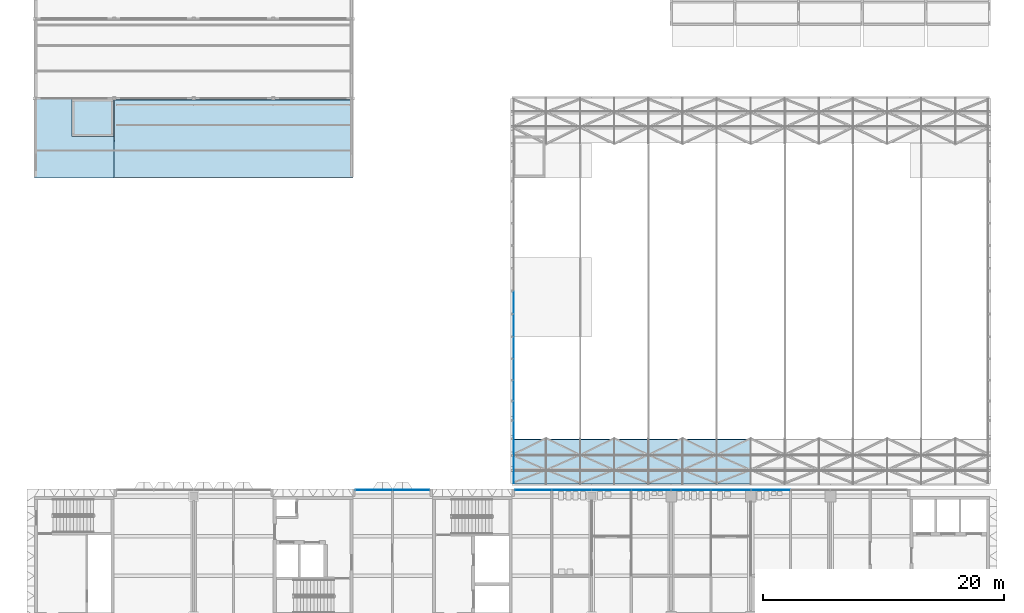
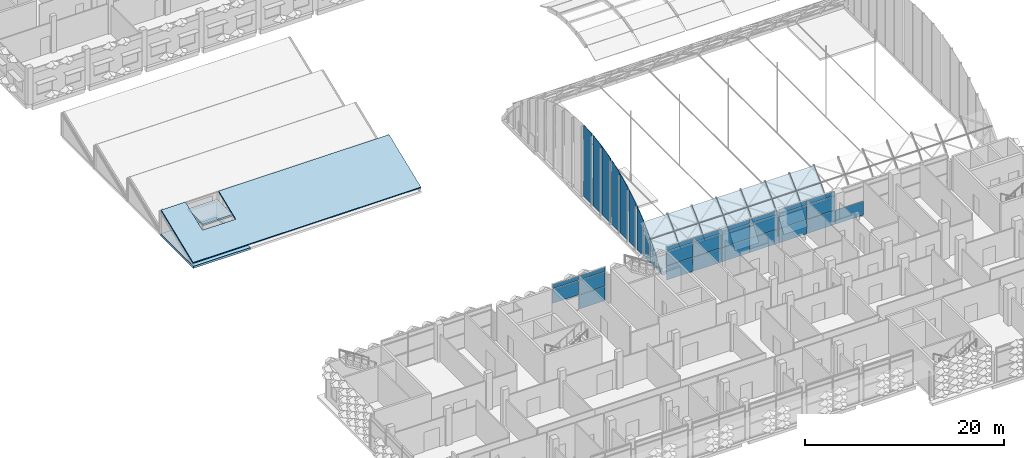
# One storey, part 43 of 109: 55 plates, 3 slabs, 3 elements without a shape of their own.
"""IFC4 building model written with IfcOpenShell, lengths in metres."""

from ifc_helpers import new_model, si_unit, direction, frame, origin, origin_2d, place, context, subcontext, project, spatial, polyline, rectangle, outline, extrude, material, layer, layer_set, type_object, element, aggregate, save


model = new_model("IFC4")

# Units and contexts
model_context = context("Model", 3, precision=1e-05, world=origin(), true_north=direction((0.0, 1.0)))
body_context = subcontext(model_context, "Body", "Model", "MODEL_VIEW")
ifc_project = project(units=[si_unit("LENGTHUNIT", "METRE"), si_unit("AREAUNIT", "SQUARE_METRE"), si_unit("VOLUMEUNIT", "CUBIC_METRE"), si_unit("PLANEANGLEUNIT", "RADIAN"), si_unit("MASSUNIT", "GRAM", prefix="KILO")], contexts=[model_context])

# Site, building, storey
site_placement = place(None, origin())
site = spatial("IfcSite", under=ifc_project, at=site_placement, CompositionType="ELEMENT")
building_placement = place(site_placement, origin())
building = spatial("IfcBuilding", under=site, at=building_placement, Name="Lantern Court Research Institute", CompositionType="ELEMENT")
storey_placement = place(building_placement, frame((0.0, 0.0, 14.39990234375)))
storey = spatial("IfcBuildingStorey", under=building, at=storey_placement, Name="L03", CompositionType="ELEMENT", Elevation=14.39990234375)

# Plates
ifc_material_1 = material(Name="Laminated low-emissivity glass", Category="glass")
ifc_layer_1 = layer(ifc_material_1, 0.035888671875)
ifc_layer_set_1 = layer_set([ifc_layer_1], Name="Laminated low-emissivity glass")
plate_type_1 = type_object("IfcPlateType", Name="Gable glazing panel 36", PredefinedType="SHEET", material=ifc_layer_set_1)
plate_1_placement = place(storey_placement, frame((39.742919921875, 24.169921875, 0.400146484375), z_axis=(0.0, 0.0, 1.0), x_axis=(0.0, 1.0, 0.0)))
element("IfcPlate", 1, at=plate_1_placement, inside=storey, type_object=plate_type_1, Name="Gable glazing panel", PredefinedType="SHEET", context=body_context, shape_type="SweptSolid", body=[
    extrude(outline(polyline([(0.0, 0.0), (1.016357421875, 0.0), (1.016357421875, 1.4697265625), (0.0, 0.0283203125), (0.0, 0.0)])), frame((0.0, 0.01806640625, 0.0), z_axis=(0.0, -1.0, 0.0), x_axis=(1.0, 0.0, 0.0)), (0.0, 0.0, 1.0), 0.035888671875),
])
plate_2_placement = place(storey_placement, frame((39.742919921875, 25.306396484375, 0.400146484375), z_axis=(0.0, 0.0, 1.0), x_axis=(0.0, 1.0, 0.0)))
element("IfcPlate", 2, at=plate_2_placement, inside=storey, type_object=plate_type_1, Name="Gable glazing panel", PredefinedType="SHEET", context=body_context, shape_type="SweptSolid", body=[
    extrude(outline(polyline([(0.0, 0.0), (1.126953125, 0.0), (1.126953125, 2.92236328125), (0.0, 1.623779296875), (0.0, 0.0)])), frame((0.0, 0.01806640625, 0.0), z_axis=(0.0, -1.0, 0.0), x_axis=(1.0, 0.0, 0.0)), (0.0, 0.0, 1.0), 0.035888671875),
])
plate_3_placement = place(storey_placement, frame((39.742919921875, 26.55322265625, 0.400146484375), z_axis=(0.0, 0.0, 1.0), x_axis=(0.0, 1.0, 0.0)))
element("IfcPlate", 3, at=plate_3_placement, inside=storey, type_object=plate_type_1, Name="Gable glazing panel", PredefinedType="SHEET", context=body_context, shape_type="SweptSolid", body=[
    extrude(outline(polyline([(0.0, 0.0), (1.265380859375, 0.0), (1.26513671875, 4.239013671875), (0.0, 3.0478515625), (0.0, 0.0)])), frame((0.0, 0.01806640625, 0.0), z_axis=(0.0, -1.0, 0.0), x_axis=(1.0, 0.0, 0.0)), (0.0, 0.0, 1.0), 0.035888671875),
])
plate_4_placement = place(storey_placement, frame((39.742919921875, 27.9384765625, 0.400146484375), z_axis=(0.0, 0.0, 1.0), x_axis=(0.0, 1.0, 0.0)))
element("IfcPlate", 4, at=plate_4_placement, inside=storey, type_object=plate_type_1, Name="Gable glazing panel", PredefinedType="SHEET", context=body_context, shape_type="SweptSolid", body=[
    extrude(outline(polyline([(0.0, 0.0), (1.38916015625, 0.0), (1.38916015625, 5.40771484375), (0.0, 4.341552734375), (0.0, 0.0)])), frame((0.0, 0.01806640625, 0.0), z_axis=(0.0, -1.0, 0.0), x_axis=(1.0, 0.0, 0.0)), (0.0, 0.0, 1.0), 0.035888671875),
])
plate_5_placement = place(storey_placement, frame((39.742919921875, 29.44775390625, 0.400146484375), z_axis=(0.0, 0.0, 1.0), x_axis=(0.0, 1.0, 0.0)))
element("IfcPlate", 5, at=plate_5_placement, inside=storey, type_object=plate_type_1, Name="Gable glazing panel", PredefinedType="SHEET", context=body_context, shape_type="SweptSolid", body=[
    extrude(outline(polyline([(0.0, 0.0), (1.498046875, 0.0), (1.498046875, 6.417236328125), (0.0, 5.490966796875), (0.0, 0.0)])), frame((0.0, 0.01806640625, 0.0), z_axis=(0.0, -1.0, 0.0), x_axis=(1.0, 0.0, 0.0)), (0.0, 0.0, 1.0), 0.035888671875),
])
plate_6_placement = place(storey_placement, frame((39.742919921875, 31.065673828125, 0.400146484375), z_axis=(0.0, 0.0, 1.0), x_axis=(0.0, 1.0, 0.0)))
element("IfcPlate", 6, at=plate_6_placement, inside=storey, type_object=plate_type_1, Name="Gable glazing panel", PredefinedType="SHEET", context=body_context, shape_type="SweptSolid", body=[
    extrude(outline(polyline([(0.0, 0.0), (1.590576171875, 0.0), (1.59033203125, 7.258056640625), (0.0, 6.483642578125), (0.0, 0.0)])), frame((0.0, 0.01806640625, 0.0), z_axis=(0.0, -1.0, 0.0), x_axis=(1.0, 0.0, 0.0)), (0.0, 0.0, 1.0), 0.035888671875),
])
plate_7_placement = place(storey_placement, frame((39.742919921875, 32.776123046875, 0.400146484375), z_axis=(0.0, 0.0, 1.0), x_axis=(0.0, 1.0, 0.0)))
element("IfcPlate", 7, at=plate_7_placement, inside=storey, type_object=plate_type_1, Name="Gable glazing panel", PredefinedType="SHEET", context=body_context, shape_type="SweptSolid", body=[
    extrude(outline(polyline([(0.0, 0.0), (1.66552734375, 0.0), (1.66552734375, 7.921875), (0.0, 7.309326171875), (0.0, 0.0)])), frame((0.0, 0.01806640625, 0.0), z_axis=(0.0, -1.0, 0.0), x_axis=(1.0, 0.0, 0.0)), (0.0, 0.0, 1.0), 0.035888671875),
])
plate_8_placement = place(storey_placement, frame((39.742919921875, 34.561767578125, 0.400146484375), z_axis=(0.0, 0.0, 1.0), x_axis=(0.0, 1.0, 0.0)))
element("IfcPlate", 8, at=plate_8_placement, inside=storey, type_object=plate_type_1, Name="Gable glazing panel", PredefinedType="SHEET", context=body_context, shape_type="SweptSolid", body=[
    extrude(outline(polyline([(0.0, 0.0), (1.722412109375, 0.0), (1.722412109375, 8.402587890625), (0.0, 7.95947265625), (0.0, 0.0)])), frame((0.0, 0.01806640625, 0.0), z_axis=(0.0, -1.0, 0.0), x_axis=(1.0, 0.0, 0.0)), (0.0, 0.0, 1.0), 0.035888671875),
])
plate_9_placement = place(storey_placement, frame((39.742919921875, 36.404296875, 0.400146484375), z_axis=(0.0, 0.0, 1.0), x_axis=(0.0, 1.0, 0.0)))
element("IfcPlate", 9, at=plate_9_placement, inside=storey, type_object=plate_type_1, Name="Gable glazing panel", PredefinedType="SHEET", context=body_context, shape_type="SweptSolid", body=[
    extrude(outline(polyline([(0.0, 0.0), (1.7607421875, 0.0), (1.7607421875, 8.695068359375), (0.0, 8.427001953125), (0.0, 0.0)])), frame((0.0, 0.01806640625, 0.0), z_axis=(0.0, -1.0, 0.0), x_axis=(1.0, 0.0, 0.0)), (0.0, 0.0, 1.0), 0.035888671875),
])
plate_10_placement = place(storey_placement, frame((39.742919921875, 38.284912109375, 0.400146484375), z_axis=(0.0, 0.0, 1.0), x_axis=(0.0, 1.0, 0.0)))
element("IfcPlate", 10, at=plate_10_placement, inside=storey, type_object=plate_type_1, Name="Gable glazing panel", PredefinedType="SHEET", context=body_context, shape_type="SweptSolid", body=[
    extrude(outline(polyline([(0.0, 0.0), (1.780029296875, 0.0), (1.780029296875, 8.796875), (0.0, 8.707275390625), (0.0, 0.0)])), frame((0.0, 0.01806640625, 0.0), z_axis=(0.0, -1.0, 0.0), x_axis=(1.0, 0.0, 0.0)), (0.0, 0.0, 1.0), 0.035888671875),
])
ifc_material_2 = material(Name="Laminated low-emissivity glass", Category="glass")
ifc_layer_2 = layer(ifc_material_2, 0.052001953125)
ifc_layer_set_2 = layer_set([ifc_layer_2], Name="Laminated low-emissivity glass")
plate_type_2 = type_object("IfcPlateType", Name="Gridshell roof glazing panel 52", PredefinedType="SHEET", material=ifc_layer_set_2)
plate_11_placement = place(storey_placement, frame((42.41845703125, 24.117431640625, 0.4443359375), z_axis=(0.0, -0.817224984024, 0.576318770723), x_axis=(-1.0, 0.0, 0.0)))
element("IfcPlate", 11, at=plate_11_placement, inside=storey, type_object=plate_type_2, Name="Roof glazing panel", PredefinedType="SHEET", context=body_context, shape_type="SweptSolid", body=[
    extrude(outline(polyline([(0.0, 0.0), (2.808349609375, 0.0), (2.808349609375, -1.867744155330344), (0.0, -1.867744155330344), (0.0, 0.0)])), origin(), (0.0, 0.0, -1.0), 0.052001953125),
])
plate_12_placement = place(storey_placement, frame((42.41845703125, 25.217041015625, 2.00048828125), z_axis=(0.0, -0.755228474441, 0.655461632281), x_axis=(-1.0, 0.0, 0.0)))
element("IfcPlate", 12, at=plate_12_placement, inside=storey, type_object=plate_type_2, Name="Roof glazing panel", PredefinedType="SHEET", context=body_context, shape_type="SweptSolid", body=[
    extrude(outline(polyline([(0.0, 0.0), (2.808349609375, 0.0), (2.808349609375, -1.8720405906582398), (0.0, -1.8720405906582398), (0.0, 0.0)])), origin(), (0.0, 0.0, -1.0), 0.052001953125),
])
plate_13_placement = place(storey_placement, frame((42.41845703125, 26.4677734375, 3.43896484375), z_axis=(0.0, -0.685494672297, 0.728077643011), x_axis=(-1.0, 0.0, 0.0)))
element("IfcPlate", 13, at=plate_13_placement, inside=storey, type_object=plate_type_2, Name="Roof glazing panel", PredefinedType="SHEET", context=body_context, shape_type="SweptSolid", body=[
    extrude(outline(polyline([(0.0, 0.0), (2.808349609375, 0.0), (2.808349609375, -1.8747866350209508), (0.0, -1.8747866350209508), (0.0, 0.0)])), origin(), (0.0, 0.0, -1.0), 0.052001953125),
])
plate_14_placement = place(storey_placement, frame((45.2470703125, 24.117431640625, 0.4443359375), z_axis=(0.0, -0.817224984024, 0.576318770723), x_axis=(-1.0, 0.0, 0.0)))
element("IfcPlate", 14, at=plate_14_placement, inside=storey, type_object=plate_type_2, Name="Roof glazing panel", PredefinedType="SHEET", context=body_context, shape_type="SweptSolid", body=[
    extrude(outline(polyline([(0.0, 0.0), (2.80859375, 0.0), (2.80859375, -1.867744155330344), (0.0, -1.867744155330344), (0.0, 0.0)])), origin(), (0.0, 0.0, -1.0), 0.052001953125),
])
plate_15_placement = place(storey_placement, frame((45.2470703125, 25.217041015625, 2.00048828125), z_axis=(0.0, -0.755228474441, 0.655461632281), x_axis=(-1.0, 0.0, 0.0)))
element("IfcPlate", 15, at=plate_15_placement, inside=storey, type_object=plate_type_2, Name="Roof glazing panel", PredefinedType="SHEET", context=body_context, shape_type="SweptSolid", body=[
    extrude(outline(polyline([(0.0, 0.0), (2.80859375, 0.0), (2.80859375, -1.8720405906582398), (0.0, -1.8720405906582398), (0.0, 0.0)])), origin(), (0.0, 0.0, -1.0), 0.052001953125),
])
plate_16_placement = place(storey_placement, frame((45.2470703125, 26.4677734375, 3.43896484375), z_axis=(0.0, -0.685494672297, 0.728077643011), x_axis=(-1.0, 0.0, 0.0)))
element("IfcPlate", 16, at=plate_16_placement, inside=storey, type_object=plate_type_2, Name="Roof glazing panel", PredefinedType="SHEET", context=body_context, shape_type="SweptSolid", body=[
    extrude(outline(polyline([(0.0, 0.0), (2.80859375, 0.0), (2.80859375, -1.874786635020951), (0.0, -1.874786635020951), (0.0, 0.0)])), origin(), (0.0, 0.0, -1.0), 0.052001953125),
])
plate_17_placement = place(storey_placement, frame((48.07568359375, 24.117431640625, 0.4443359375), z_axis=(0.0, -0.817224984024, 0.576318770723), x_axis=(-1.0, 0.0, 0.0)))
element("IfcPlate", 17, at=plate_17_placement, inside=storey, type_object=plate_type_2, Name="Roof glazing panel", PredefinedType="SHEET", context=body_context, shape_type="SweptSolid", body=[
    extrude(outline(polyline([(0.0, 0.0), (2.80859375, 0.0), (2.80859375, -1.867744155330344), (0.0, -1.867744155330344), (0.0, 0.0)])), origin(), (0.0, 0.0, -1.0), 0.052001953125),
])
plate_18_placement = place(storey_placement, frame((48.07568359375, 25.217041015625, 2.00048828125), z_axis=(0.0, -0.755228474441, 0.655461632281), x_axis=(-1.0, 0.0, 0.0)))
element("IfcPlate", 18, at=plate_18_placement, inside=storey, type_object=plate_type_2, Name="Roof glazing panel", PredefinedType="SHEET", context=body_context, shape_type="SweptSolid", body=[
    extrude(outline(polyline([(0.0, 0.0), (2.80859375, 0.0), (2.80859375, -1.8720405906582398), (0.0, -1.8720405906582398), (0.0, 0.0)])), origin(), (0.0, 0.0, -1.0), 0.052001953125),
])
plate_19_placement = place(storey_placement, frame((48.07568359375, 26.4677734375, 3.43896484375), z_axis=(0.0, -0.685494672297, 0.728077643011), x_axis=(-1.0, 0.0, 0.0)))
element("IfcPlate", 19, at=plate_19_placement, inside=storey, type_object=plate_type_2, Name="Roof glazing panel", PredefinedType="SHEET", context=body_context, shape_type="SweptSolid", body=[
    extrude(outline(polyline([(0.0, 0.0), (2.80859375, 0.0), (2.80859375, -1.874786635020951), (0.0, -1.874786635020951), (0.0, 0.0)])), origin(), (0.0, 0.0, -1.0), 0.052001953125),
])
plate_20_placement = place(storey_placement, frame((50.904296875, 24.117431640625, 0.4443359375), z_axis=(0.0, -0.817224984024, 0.576318770723), x_axis=(-1.0, 0.0, 0.0)))
element("IfcPlate", 20, at=plate_20_placement, inside=storey, type_object=plate_type_2, Name="Roof glazing panel", PredefinedType="SHEET", context=body_context, shape_type="SweptSolid", body=[
    extrude(outline(polyline([(0.0, 0.0), (2.80859375, 0.0), (2.80859375, -1.867744155330344), (0.0, -1.867744155330344), (0.0, 0.0)])), origin(), (0.0, 0.0, -1.0), 0.052001953125),
])
plate_21_placement = place(storey_placement, frame((50.904296875, 25.217041015625, 2.00048828125), z_axis=(0.0, -0.755228474441, 0.655461632281), x_axis=(-1.0, 0.0, 0.0)))
element("IfcPlate", 21, at=plate_21_placement, inside=storey, type_object=plate_type_2, Name="Roof glazing panel", PredefinedType="SHEET", context=body_context, shape_type="SweptSolid", body=[
    extrude(outline(polyline([(0.0, 0.0), (2.80859375, 0.0), (2.80859375, -1.8720405906582398), (0.0, -1.8720405906582398), (0.0, 0.0)])), origin(), (0.0, 0.0, -1.0), 0.052001953125),
])
plate_22_placement = place(storey_placement, frame((50.904296875, 26.4677734375, 3.43896484375), z_axis=(0.0, -0.685494672297, 0.728077643011), x_axis=(-1.0, 0.0, 0.0)))
element("IfcPlate", 22, at=plate_22_placement, inside=storey, type_object=plate_type_2, Name="Roof glazing panel", PredefinedType="SHEET", context=body_context, shape_type="SweptSolid", body=[
    extrude(outline(polyline([(0.0, 0.0), (2.80859375, 0.0), (2.80859375, -1.874786635020951), (0.0, -1.874786635020951), (0.0, 0.0)])), origin(), (0.0, 0.0, -1.0), 0.052001953125),
])
plate_23_placement = place(storey_placement, frame((53.73291015625, 24.117431640625, 0.4443359375), z_axis=(0.0, -0.817224984024, 0.576318770723), x_axis=(-1.0, 0.0, 0.0)))
element("IfcPlate", 23, at=plate_23_placement, inside=storey, type_object=plate_type_2, Name="Roof glazing panel", PredefinedType="SHEET", context=body_context, shape_type="SweptSolid", body=[
    extrude(outline(polyline([(0.0, 0.0), (2.80859375, 0.0), (2.80859375, -1.867744155330344), (0.0, -1.867744155330344), (0.0, 0.0)])), origin(), (0.0, 0.0, -1.0), 0.052001953125),
])
plate_24_placement = place(storey_placement, frame((53.73291015625, 25.217041015625, 2.00048828125), z_axis=(0.0, -0.755228474441, 0.655461632281), x_axis=(-1.0, 0.0, 0.0)))
element("IfcPlate", 24, at=plate_24_placement, inside=storey, type_object=plate_type_2, Name="Roof glazing panel", PredefinedType="SHEET", context=body_context, shape_type="SweptSolid", body=[
    extrude(outline(polyline([(0.0, 0.0), (2.80859375, 0.0), (2.80859375, -1.8720405906582398), (0.0, -1.8720405906582398), (0.0, 0.0)])), origin(), (0.0, 0.0, -1.0), 0.052001953125),
])
plate_25_placement = place(storey_placement, frame((53.73291015625, 26.4677734375, 3.43896484375), z_axis=(0.0, -0.685494672297, 0.728077643011), x_axis=(-1.0, 0.0, 0.0)))
element("IfcPlate", 25, at=plate_25_placement, inside=storey, type_object=plate_type_2, Name="Roof glazing panel", PredefinedType="SHEET", context=body_context, shape_type="SweptSolid", body=[
    extrude(outline(polyline([(0.0, 0.0), (2.80859375, 0.0), (2.80859375, -1.874786635020951), (0.0, -1.874786635020951), (0.0, 0.0)])), origin(), (0.0, 0.0, -1.0), 0.052001953125),
])
plate_26_placement = place(storey_placement, frame((56.5615234375, 24.117431640625, 0.4443359375), z_axis=(0.0, -0.817224984024, 0.576318770723), x_axis=(-1.0, 0.0, 0.0)))
element("IfcPlate", 26, at=plate_26_placement, inside=storey, type_object=plate_type_2, Name="Roof glazing panel", PredefinedType="SHEET", context=body_context, shape_type="SweptSolid", body=[
    extrude(outline(polyline([(0.0, 0.0), (2.80859375, 0.0), (2.80859375, -1.867744155330344), (0.0, -1.867744155330344), (0.0, 0.0)])), origin(), (0.0, 0.0, -1.0), 0.052001953125),
])
plate_27_placement = place(storey_placement, frame((56.5615234375, 25.217041015625, 2.00048828125), z_axis=(0.0, -0.755228474441, 0.655461632281), x_axis=(-1.0, 0.0, 0.0)))
element("IfcPlate", 27, at=plate_27_placement, inside=storey, type_object=plate_type_2, Name="Roof glazing panel", PredefinedType="SHEET", context=body_context, shape_type="SweptSolid", body=[
    extrude(outline(polyline([(0.0, 0.0), (2.80859375, 0.0), (2.80859375, -1.8720405906582398), (0.0, -1.8720405906582398), (0.0, 0.0)])), origin(), (0.0, 0.0, -1.0), 0.052001953125),
])
plate_28_placement = place(storey_placement, frame((56.5615234375, 26.4677734375, 3.43896484375), z_axis=(0.0, -0.685494672297, 0.728077643011), x_axis=(-1.0, 0.0, 0.0)))
element("IfcPlate", 28, at=plate_28_placement, inside=storey, type_object=plate_type_2, Name="Roof glazing panel", PredefinedType="SHEET", context=body_context, shape_type="SweptSolid", body=[
    extrude(outline(polyline([(0.0, 0.0), (2.80859375, 0.0), (2.80859375, -1.874786635020951), (0.0, -1.874786635020951), (0.0, 0.0)])), origin(), (0.0, 0.0, -1.0), 0.052001953125),
])
plate_29_placement = place(storey_placement, frame((59.389892578125, 24.117431640625, 0.4443359375), z_axis=(0.0, -0.817224984024, 0.576318770723), x_axis=(-1.0, 0.0, 0.0)))
element("IfcPlate", 29, at=plate_29_placement, inside=storey, type_object=plate_type_2, Name="Roof glazing panel", PredefinedType="SHEET", context=body_context, shape_type="SweptSolid", body=[
    extrude(outline(polyline([(0.0, 0.0), (2.808349609375, 0.0), (2.808349609375, -1.867744155330344), (0.0, -1.867744155330344), (0.0, 0.0)])), origin(), (0.0, 0.0, -1.0), 0.052001953125),
])
plate_30_placement = place(storey_placement, frame((59.389892578125, 25.217041015625, 2.00048828125), z_axis=(0.0, -0.755228474441, 0.655461632281), x_axis=(-1.0, 0.0, 0.0)))
element("IfcPlate", 30, at=plate_30_placement, inside=storey, type_object=plate_type_2, Name="Roof glazing panel", PredefinedType="SHEET", context=body_context, shape_type="SweptSolid", body=[
    extrude(outline(polyline([(0.0, 0.0), (2.808349609375, 0.0), (2.808349609375, -1.8720405906582398), (0.0, -1.8720405906582398), (0.0, 0.0)])), origin(), (0.0, 0.0, -1.0), 0.052001953125),
])
plate_31_placement = place(storey_placement, frame((59.389892578125, 26.4677734375, 3.43896484375), z_axis=(0.0, -0.685494672297, 0.728077643011), x_axis=(-1.0, 0.0, 0.0)))
element("IfcPlate", 31, at=plate_31_placement, inside=storey, type_object=plate_type_2, Name="Roof glazing panel", PredefinedType="SHEET", context=body_context, shape_type="SweptSolid", body=[
    extrude(outline(polyline([(0.0, 0.0), (2.808349609375, 0.0), (2.808349609375, -1.8747866350209508), (0.0, -1.8747866350209508), (0.0, 0.0)])), origin(), (0.0, 0.0, -1.0), 0.052001953125),
])

# Curtain wall, plate
ifc_material_3 = material(Name="Aluminium alloy 6063-T6", Category="aluminium")
curtain_wall_type_1 = type_object("IfcCurtainWallType", Name="Curtain wall 6200 x 4200 x 150 aluminium frame", PredefinedType="NOTDEFINED", material=ifc_material_3)
curtain_wall_1_placement = place(storey_placement, origin())
curtain_wall_1 = element("IfcCurtainWall", 32, at=curtain_wall_1_placement, inside=storey, type_object=curtain_wall_type_1, Name="Curtain wall CW046", PredefinedType="NOTDEFINED")
ifc_material_4 = material(Name="Insulated aluminium spandrel panel", Category="aluminium")
ifc_layer_3 = layer(ifc_material_4, 0.06005859375)
ifc_layer_set_3 = layer_set([ifc_layer_3], Name="Insulated aluminium spandrel panel")
plate_type_3 = type_object("IfcPlateType", Name="Insulated spandrel panel 60 mm", PredefinedType="CURTAIN_PANEL", material=ifc_layer_set_3)
plate_32_placement = place(storey_placement, frame((31.235107421875, 23.625, 0.06005859375), z_axis=(0.0, 0.0, 1.0), x_axis=(1.0, 0.0, 0.0)))
plate_32 = element("IfcPlate", 33, at=plate_32_placement, type_object=plate_type_3, Name="CW046 spandrel panel 2.1", PredefinedType="CURTAIN_PANEL", context=body_context, shape_type="SweptSolid", body=[
    extrude(rectangle(XDim=3.010009765625, YDim=0.06005859375, at=origin_2d()), origin(), (0.0, 0.0, 1.0), 1.7099609375),
])

# Curtain wall, plates
ifc_material_5 = material(Name="Aluminium alloy 6063-T6", Category="aluminium")
curtain_wall_type_2 = type_object("IfcCurtainWallType", Name="Curtain wall 13000 x 4200 x 150 aluminium frame", PredefinedType="NOTDEFINED", material=ifc_material_5)
curtain_wall_2_placement = place(storey_placement, origin())
curtain_wall_2 = element("IfcCurtainWall", 34, at=curtain_wall_2_placement, inside=storey, type_object=curtain_wall_type_2, Name="Curtain wall CW047", PredefinedType="NOTDEFINED")
plate_33_placement = place(storey_placement, frame((41.364990234375, 23.625, 0.06005859375), z_axis=(0.0, 0.0, 1.0), x_axis=(1.0, 0.0, 0.0)))
plate_33 = element("IfcPlate", 35, at=plate_33_placement, type_object=plate_type_3, Name="CW047 spandrel panel 1.1", PredefinedType="CURTAIN_PANEL", context=body_context, shape_type="SweptSolid", body=[
    extrude(rectangle(XDim=3.010009765625, YDim=0.06005859375, at=origin_2d()), origin(), (0.0, 0.0, 1.0), 1.7099609375),
])
plate_34_placement = place(storey_placement, frame((41.364990234375, 23.625, 1.830078125), z_axis=(0.0, 0.0, 1.0), x_axis=(1.0, 0.0, 0.0)))
plate_34 = element("IfcPlate", 36, at=plate_34_placement, type_object=plate_type_3, Name="CW047 spandrel panel 1.2", PredefinedType="CURTAIN_PANEL", context=body_context, shape_type="SweptSolid", body=[
    extrude(rectangle(XDim=3.010009765625, YDim=0.06005859375, at=origin_2d()), origin(), (0.0, 0.0, 1.0), 1.739990234375),
])
plate_35_placement = place(storey_placement, frame((41.364990234375, 23.625, 3.6298828125), z_axis=(0.0, 0.0, 1.0), x_axis=(1.0, 0.0, 0.0)))
plate_35 = element("IfcPlate", 37, at=plate_35_placement, type_object=plate_type_3, Name="CW047 spandrel panel 1.3", PredefinedType="CURTAIN_PANEL", context=body_context, shape_type="SweptSolid", body=[
    extrude(rectangle(XDim=3.010009765625, YDim=0.06005859375, at=origin_2d()), origin(), (0.0, 0.0, 1.0), 0.510009765625),
])
plate_36_placement = place(storey_placement, frame((44.550048828125, 23.625, 0.06005859375), z_axis=(0.0, 0.0, 1.0), x_axis=(1.0, 0.0, 0.0)))
plate_36 = element("IfcPlate", 38, at=plate_36_placement, type_object=plate_type_3, Name="CW047 spandrel panel 2.1", PredefinedType="CURTAIN_PANEL", context=body_context, shape_type="SweptSolid", body=[
    extrude(rectangle(XDim=3.239990234375, YDim=0.06005859375, at=origin_2d()), origin(), (0.0, 0.0, 1.0), 1.7099609375),
])
plate_37_placement = place(storey_placement, frame((44.550048828125, 23.625, 1.830078125), z_axis=(0.0, 0.0, 1.0), x_axis=(1.0, 0.0, 0.0)))
plate_37 = element("IfcPlate", 39, at=plate_37_placement, type_object=plate_type_3, Name="CW047 spandrel panel 2.2", PredefinedType="CURTAIN_PANEL", context=body_context, shape_type="SweptSolid", body=[
    extrude(rectangle(XDim=3.239990234375, YDim=0.06005859375, at=origin_2d()), origin(), (0.0, 0.0, 1.0), 1.739990234375),
])
plate_38_placement = place(storey_placement, frame((44.550048828125, 23.625, 3.6298828125), z_axis=(0.0, 0.0, 1.0), x_axis=(1.0, 0.0, 0.0)))
plate_38 = element("IfcPlate", 40, at=plate_38_placement, type_object=plate_type_3, Name="CW047 spandrel panel 2.3", PredefinedType="CURTAIN_PANEL", context=body_context, shape_type="SweptSolid", body=[
    extrude(rectangle(XDim=3.239990234375, YDim=0.06005859375, at=origin_2d()), origin(), (0.0, 0.0, 1.0), 0.510009765625),
])
plate_39_placement = place(storey_placement, frame((47.85009765625, 23.625, 0.06005859375), z_axis=(0.0, 0.0, 1.0), x_axis=(1.0, 0.0, 0.0)))
plate_39 = element("IfcPlate", 41, at=plate_39_placement, type_object=plate_type_3, Name="CW047 spandrel panel 3.1", PredefinedType="CURTAIN_PANEL", context=body_context, shape_type="SweptSolid", body=[
    extrude(rectangle(XDim=3.239990234375, YDim=0.06005859375, at=origin_2d()), origin(), (0.0, 0.0, 1.0), 1.7099609375),
])
plate_40_placement = place(storey_placement, frame((47.85009765625, 23.625, 1.830078125), z_axis=(0.0, 0.0, 1.0), x_axis=(1.0, 0.0, 0.0)))
plate_40 = element("IfcPlate", 42, at=plate_40_placement, type_object=plate_type_3, Name="CW047 spandrel panel 3.2", PredefinedType="CURTAIN_PANEL", context=body_context, shape_type="SweptSolid", body=[
    extrude(rectangle(XDim=3.239990234375, YDim=0.06005859375, at=origin_2d()), origin(), (0.0, 0.0, 1.0), 1.739990234375),
])
plate_41_placement = place(storey_placement, frame((47.85009765625, 23.625, 3.6298828125), z_axis=(0.0, 0.0, 1.0), x_axis=(1.0, 0.0, 0.0)))
plate_41 = element("IfcPlate", 43, at=plate_41_placement, type_object=plate_type_3, Name="CW047 spandrel panel 3.3", PredefinedType="CURTAIN_PANEL", context=body_context, shape_type="SweptSolid", body=[
    extrude(rectangle(XDim=3.239990234375, YDim=0.06005859375, at=origin_2d()), origin(), (0.0, 0.0, 1.0), 0.510009765625),
])
plate_42_placement = place(storey_placement, frame((51.135009765625, 23.625, 0.06005859375), z_axis=(0.0, 0.0, 1.0), x_axis=(1.0, 0.0, 0.0)))
plate_42 = element("IfcPlate", 44, at=plate_42_placement, type_object=plate_type_3, Name="CW047 spandrel panel 4.1", PredefinedType="CURTAIN_PANEL", context=body_context, shape_type="SweptSolid", body=[
    extrude(rectangle(XDim=3.2099609375, YDim=0.06005859375, at=origin_2d()), origin(), (0.0, 0.0, 1.0), 1.7099609375),
])
plate_43_placement = place(storey_placement, frame((51.135009765625, 23.625, 1.830078125), z_axis=(0.0, 0.0, 1.0), x_axis=(1.0, 0.0, 0.0)))
plate_43 = element("IfcPlate", 45, at=plate_43_placement, type_object=plate_type_3, Name="CW047 spandrel panel 4.2", PredefinedType="CURTAIN_PANEL", context=body_context, shape_type="SweptSolid", body=[
    extrude(rectangle(XDim=3.2099609375, YDim=0.06005859375, at=origin_2d()), origin(), (0.0, 0.0, 1.0), 1.739990234375),
])
plate_44_placement = place(storey_placement, frame((51.135009765625, 23.625, 3.6298828125), z_axis=(0.0, 0.0, 1.0), x_axis=(1.0, 0.0, 0.0)))
plate_44 = element("IfcPlate", 46, at=plate_44_placement, type_object=plate_type_3, Name="CW047 spandrel panel 4.3", PredefinedType="CURTAIN_PANEL", context=body_context, shape_type="SweptSolid", body=[
    extrude(rectangle(XDim=3.2099609375, YDim=0.06005859375, at=origin_2d()), origin(), (0.0, 0.0, 1.0), 0.510009765625),
])
aggregate(curtain_wall_2, [plate_33, plate_34, plate_35, plate_36, plate_37, plate_38, plate_39, plate_40, plate_41, plate_42, plate_43, plate_44])

ifc_material_6 = material(Name="Aluminium alloy 6063-T6", Category="aluminium")
curtain_wall_type_3 = type_object("IfcCurtainWallType", Name="Curtain wall 19600 x 4200 x 150 aluminium frame", PredefinedType="NOTDEFINED", material=ifc_material_6)
curtain_wall_3_placement = place(storey_placement, origin())
curtain_wall_3 = element("IfcCurtainWall", 47, at=curtain_wall_3_placement, inside=storey, type_object=curtain_wall_type_3, Name="Curtain wall CW058", PredefinedType="NOTDEFINED")
plate_45_placement = place(storey_placement, frame((54.465087890625, 23.625, 0.06005859375), z_axis=(0.0, 0.0, 1.0), x_axis=(1.0, 0.0, 0.0)))
plate_45 = element("IfcPlate", 48, at=plate_45_placement, type_object=plate_type_3, Name="CW058 spandrel panel 1.1", PredefinedType="CURTAIN_PANEL", context=body_context, shape_type="SweptSolid", body=[
    extrude(rectangle(XDim=3.2099609375, YDim=0.06005859375, at=origin_2d()), origin(), (0.0, 0.0, 1.0), 1.7099609375),
])
plate_46_placement = place(storey_placement, frame((54.465087890625, 23.625, 1.830078125), z_axis=(0.0, 0.0, 1.0), x_axis=(1.0, 0.0, 0.0)))
plate_46 = element("IfcPlate", 49, at=plate_46_placement, type_object=plate_type_3, Name="CW058 spandrel panel 1.2", PredefinedType="CURTAIN_PANEL", context=body_context, shape_type="SweptSolid", body=[
    extrude(rectangle(XDim=3.2099609375, YDim=0.06005859375, at=origin_2d()), origin(), (0.0, 0.0, 1.0), 1.739990234375),
])
plate_47_placement = place(storey_placement, frame((54.465087890625, 23.625, 3.6298828125), z_axis=(0.0, 0.0, 1.0), x_axis=(1.0, 0.0, 0.0)))
plate_47 = element("IfcPlate", 50, at=plate_47_placement, type_object=plate_type_3, Name="CW058 spandrel panel 1.3", PredefinedType="CURTAIN_PANEL", context=body_context, shape_type="SweptSolid", body=[
    extrude(rectangle(XDim=3.2099609375, YDim=0.06005859375, at=origin_2d()), origin(), (0.0, 0.0, 1.0), 0.510009765625),
])
plate_48_placement = place(storey_placement, frame((57.75, 23.625, 0.06005859375), z_axis=(0.0, 0.0, 1.0), x_axis=(1.0, 0.0, 0.0)))
plate_48 = element("IfcPlate", 51, at=plate_48_placement, type_object=plate_type_3, Name="CW058 spandrel panel 2.1", PredefinedType="CURTAIN_PANEL", context=body_context, shape_type="SweptSolid", body=[
    extrude(rectangle(XDim=3.239990234375, YDim=0.06005859375, at=origin_2d()), origin(), (0.0, 0.0, 1.0), 1.7099609375),
])
plate_49_placement = place(storey_placement, frame((57.75, 23.625, 1.830078125), z_axis=(0.0, 0.0, 1.0), x_axis=(1.0, 0.0, 0.0)))
plate_49 = element("IfcPlate", 52, at=plate_49_placement, type_object=plate_type_3, Name="CW058 spandrel panel 2.2", PredefinedType="CURTAIN_PANEL", context=body_context, shape_type="SweptSolid", body=[
    extrude(rectangle(XDim=3.239990234375, YDim=0.06005859375, at=origin_2d()), origin(), (0.0, 0.0, 1.0), 1.739990234375),
])
plate_50_placement = place(storey_placement, frame((57.75, 23.625, 3.6298828125), z_axis=(0.0, 0.0, 1.0), x_axis=(1.0, 0.0, 0.0)))
plate_50 = element("IfcPlate", 53, at=plate_50_placement, type_object=plate_type_3, Name="CW058 spandrel panel 2.3", PredefinedType="CURTAIN_PANEL", context=body_context, shape_type="SweptSolid", body=[
    extrude(rectangle(XDim=3.239990234375, YDim=0.06005859375, at=origin_2d()), origin(), (0.0, 0.0, 1.0), 0.510009765625),
])
plate_51_placement = place(storey_placement, frame((61.050048828125, 23.625, 0.06005859375), z_axis=(0.0, 0.0, 1.0), x_axis=(1.0, 0.0, 0.0)))
plate_51 = element("IfcPlate", 54, at=plate_51_placement, type_object=plate_type_3, Name="CW058 spandrel panel 3.1", PredefinedType="CURTAIN_PANEL", context=body_context, shape_type="SweptSolid", body=[
    extrude(rectangle(XDim=3.239990234375, YDim=0.06005859375, at=origin_2d()), origin(), (0.0, 0.0, 1.0), 1.7099609375),
])
aggregate(curtain_wall_3, [plate_45, plate_46, plate_47, plate_48, plate_49, plate_50, plate_51])

# Plate
ifc_material_7 = material(Name="Laminated low-emissivity glass", Category="glass")
ifc_layer_4 = layer(ifc_material_7, 0.028076171875)
ifc_layer_set_4 = layer_set([ifc_layer_4], Name="Laminated low-emissivity glass")
plate_type_4 = type_object("IfcPlateType", Name="Laminated low-emissivity unit 28 mm", PredefinedType="CURTAIN_PANEL", material=ifc_layer_set_4)
plate_52_placement = place(storey_placement, frame((28.1650390625, 23.625, 1.830078125), z_axis=(0.0, 0.0, 1.0), x_axis=(1.0, 0.0, 0.0)))
plate_52 = element("IfcPlate", 55, at=plate_52_placement, type_object=plate_type_4, Name="CW046 glazed panel 1.2", PredefinedType="CURTAIN_PANEL", context=body_context, shape_type="SweptSolid", body=[
    extrude(rectangle(XDim=3.010009765625, YDim=0.028076171875, at=origin_2d()), origin(), (0.0, 0.0, 1.0), 1.739990234375),
])

plate_53_placement = place(storey_placement, frame((28.1650390625, 23.625, 3.6298828125), z_axis=(0.0, 0.0, 1.0), x_axis=(1.0, 0.0, 0.0)))
plate_53 = element("IfcPlate", 56, at=plate_53_placement, type_object=plate_type_4, Name="CW046 glazed panel 1.3", PredefinedType="CURTAIN_PANEL", context=body_context, shape_type="SweptSolid", body=[
    extrude(rectangle(XDim=3.010009765625, YDim=0.028076171875, at=origin_2d()), origin(), (0.0, 0.0, 1.0), 0.510009765625),
])

plate_54_placement = place(storey_placement, frame((31.235107421875, 23.625, 1.830078125), z_axis=(0.0, 0.0, 1.0), x_axis=(1.0, 0.0, 0.0)))
plate_54 = element("IfcPlate", 57, at=plate_54_placement, type_object=plate_type_4, Name="CW046 glazed panel 2.2", PredefinedType="CURTAIN_PANEL", context=body_context, shape_type="SweptSolid", body=[
    extrude(rectangle(XDim=3.010009765625, YDim=0.028076171875, at=origin_2d()), origin(), (0.0, 0.0, 1.0), 1.739990234375),
])

plate_55_placement = place(storey_placement, frame((31.235107421875, 23.625, 3.6298828125), z_axis=(0.0, 0.0, 1.0), x_axis=(1.0, 0.0, 0.0)))
plate_55 = element("IfcPlate", 58, at=plate_55_placement, type_object=plate_type_4, Name="CW046 glazed panel 2.3", PredefinedType="CURTAIN_PANEL", context=body_context, shape_type="SweptSolid", body=[
    extrude(rectangle(XDim=3.010009765625, YDim=0.028076171875, at=origin_2d()), origin(), (0.0, 0.0, 1.0), 0.510009765625),
])

aggregate(curtain_wall_1, [plate_52, plate_53, plate_32, plate_54, plate_55])

# Slabs
ifc_material_8 = material(Name="Concrete C35/45", Category="concrete")
ifc_layer_5 = layer(ifc_material_8, 0.25)
ifc_layer_set_5 = layer_set([ifc_layer_5], Name="Concrete C35/45")
slab_type_1 = type_object("IfcSlabType", Name="RC core roof slab 250", PredefinedType="ROOF", material=ifc_layer_set_5)
slab_1_placement = place(storey_placement, frame((0.0, 0.0, -0.25)))
element("IfcSlab", 59, at=slab_1_placement, inside=storey, type_object=slab_type_1, Name="Roof of core CC-A", PredefinedType="ROOF", context=body_context, shape_type="SweptSolid", body=[
    extrude(outline(polyline([(0.0, 49.5), (6.60009765625, 49.5), (6.60009765625, 56.10009765625), (0.0, 56.10009765625), (0.0, 49.5)]), holes=[polyline([(3.300048828125, 53.14990234375), (6.35009765625, 53.14990234375), (6.35009765625, 55.85009765625), (3.300048828125, 55.85009765625), (3.300048828125, 53.14990234375)])]), origin(), (0.0, 0.0, 1.0), 0.25),
])
ifc_material_9 = material(Name="Concrete C35/45", Category="concrete")
ifc_layer_6 = layer(ifc_material_9, 0.199951171875)
ifc_layer_set_6 = layer_set([ifc_layer_6], Name="Concrete C35/45")
slab_type_2 = type_object("IfcSlabType", Name="RC lift overrun roof 200", PredefinedType="ROOF", material=ifc_layer_set_6)
slab_2_placement = place(storey_placement, frame((0.0, 0.0, 1.800048828125)))
element("IfcSlab", 60, at=slab_2_placement, inside=storey, type_object=slab_type_2, Name="Lift overrun roof of core CC-A", PredefinedType="ROOF", context=body_context, shape_type="SweptSolid", body=[
    extrude(outline(polyline([(3.10009765625, 52.949951171875), (6.550048828125, 52.949951171875), (6.550048828125, 56.050048828125), (3.10009765625, 56.050048828125), (3.10009765625, 52.949951171875)])), origin(), (0.0, 0.0, 1.0), 0.199951171875),
])
ifc_material_10 = material(Name="Insulated metal sandwich roof panel")
ifc_layer_7 = layer(ifc_material_10, 0.175048828125)
ifc_layer_set_7 = layer_set([ifc_layer_7], Name="Insulated metal sandwich roof panel")
slab_type_3 = type_object("IfcSlabType", Name="Sawtooth roof deck 175", PredefinedType="ROOF", material=ifc_layer_set_7)
slab_3_placement = place(storey_placement, frame((26.39990234375, 55.9599609375, 2.993408203125), z_axis=(0.0, -0.371401991786, 0.928472164632), x_axis=(0.0, -0.928472164632, -0.371401991786)))
element("IfcSlab", 61, at=slab_3_placement, inside=storey, type_object=slab_type_3, Name="Sawtooth roof deck", PredefinedType="ROOF", context=body_context, shape_type="SweptSolid", body=[
    extrude(outline(polyline([(0.0, 0.0), (6.892942043345898, 0.0), (6.892942043345898, -26.39990234375), (0.0, -26.39990234375), (0.0, -23.599853515625), (3.688926751839017, -23.599853515625), (3.688926751839017, -19.75), (0.0, -19.75), (0.0, 0.0)])), origin(), (0.0, 0.0, -1.0), 0.175048828125),
])

save(model, "model.ifc")
